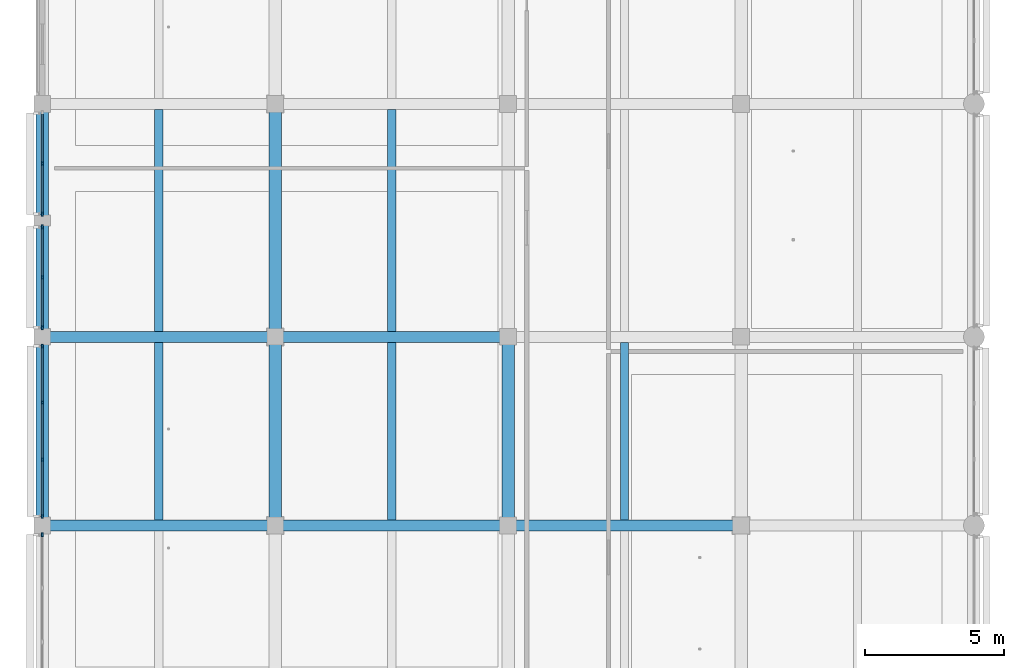
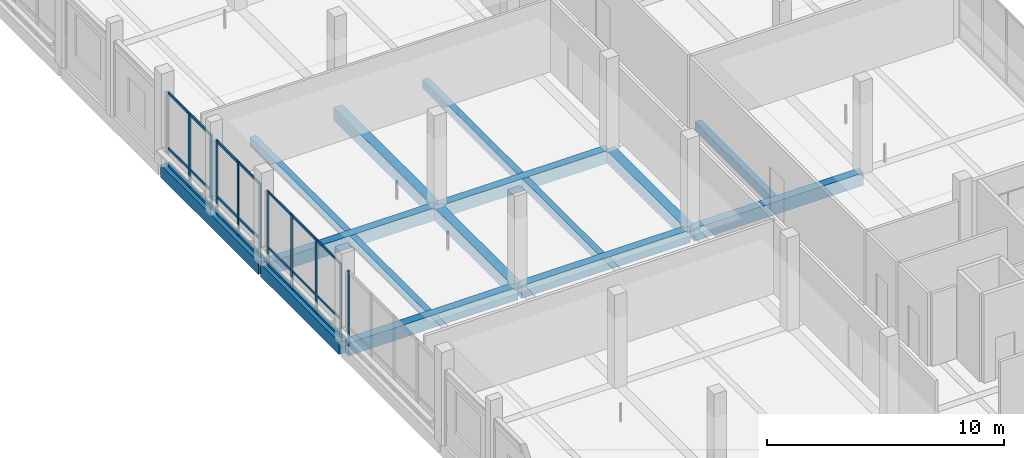
# One storey, part 10 of 122: 31 members, 15 beams, 4 elements without a shape of their own.
"""IFC4 building model written with IfcOpenShell, lengths in metres."""

from ifc_helpers import new_model, si_unit, direction, frame, origin, origin_2d, place, context, subcontext, project, spatial, rectangle, extrude, material, layer, layer_set, material_profile, profile_set, type_object, element, aggregate, save


model = new_model("IFC4")

# Units and contexts
model_context = context("Model", 3, precision=1e-05, world=origin(), true_north=direction((0.0, 1.0)))
body_context = subcontext(model_context, "Body", "Model", "MODEL_VIEW")
ifc_project = project(units=[si_unit("LENGTHUNIT", "METRE"), si_unit("AREAUNIT", "SQUARE_METRE"), si_unit("VOLUMEUNIT", "CUBIC_METRE"), si_unit("PLANEANGLEUNIT", "RADIAN"), si_unit("MASSUNIT", "GRAM", prefix="KILO")], contexts=[model_context])

# Site, building, storey
site_placement = place(None, origin())
site = spatial("IfcSite", under=ifc_project, at=site_placement, CompositionType="ELEMENT")
building_placement = place(site_placement, origin())
building = spatial("IfcBuilding", under=site, at=building_placement, Name="Telukmera Botanical Conservatory", CompositionType="ELEMENT")
storey_placement = place(building_placement, frame((0.0, 0.0, 10.199951171875)))
storey = spatial("IfcBuildingStorey", under=building, at=storey_placement, Name="L02", CompositionType="ELEMENT", Elevation=10.199951171875)

# Beams
ifc_material_1 = material(Name="Concrete C40/50", Category="concrete")
ifc_material_profile_1 = material_profile(ifc_material_1, rectangle(XDim=0.449951171875, YDim=0.64990234375, at=origin_2d()), Name="RC 450x650")
ifc_profile_set_1 = profile_set([ifc_material_profile_1], Name="Concrete C40/50")
beam_type_1 = type_object("IfcBeamType", Name="Beam_B16", PredefinedType="BEAM", material=ifc_profile_set_1)
beam_1_placement = place(storey_placement, frame((8.39990234375, 42.8798828125, -0.324951171875), z_axis=(0.0, 1.0, 0.0), x_axis=(-1.0, 0.0, 0.0)))
element("IfcBeam", 1, at=beam_1_placement, inside=storey, type_object=beam_type_1, Name="Visitor Wing Transverse Beam L02", PredefinedType="BEAM", context=body_context, shape_type="SweptSolid", body=[
    extrude(rectangle(XDim=0.449951171875, YDim=0.64990234375, at=origin_2d()), origin(), (0.0, 0.0, 1.0), 6.64013671875),
])
beam_2_placement = place(storey_placement, frame((8.39990234375, 49.679931640625, -0.324951171875), z_axis=(0.0, 1.0, 0.0), x_axis=(-1.0, 0.0, 0.0)))
element("IfcBeam", 2, at=beam_2_placement, inside=storey, type_object=beam_type_1, Name="Visitor Wing Transverse Beam L02", PredefinedType="BEAM", context=body_context, shape_type="SweptSolid", body=[
    extrude(rectangle(XDim=0.449951171875, YDim=0.64990234375, at=origin_2d()), origin(), (0.0, 0.0, 1.0), 8.239990234375),
])
beam_3_placement = place(storey_placement, frame((16.800048828125, 42.8798828125, -0.324951171875), z_axis=(0.0, 1.0, 0.0), x_axis=(-1.0, 0.0, 0.0)))
element("IfcBeam", 3, at=beam_3_placement, inside=storey, type_object=beam_type_1, Name="Visitor Wing Transverse Beam L02", PredefinedType="BEAM", context=body_context, shape_type="SweptSolid", body=[
    extrude(rectangle(XDim=0.449951171875, YDim=0.64990234375, at=origin_2d()), origin(), (0.0, 0.0, 1.0), 6.64013671875),
])
beam_4_placement = place(storey_placement, frame((16.800048828125, 49.679931640625, -0.324951171875), z_axis=(0.0, 1.0, 0.0), x_axis=(-1.0, 0.0, 0.0)))
element("IfcBeam", 4, at=beam_4_placement, inside=storey, type_object=beam_type_1, Name="Visitor Wing Transverse Beam L02", PredefinedType="BEAM", context=body_context, shape_type="SweptSolid", body=[
    extrude(rectangle(XDim=0.449951171875, YDim=0.64990234375, at=origin_2d()), origin(), (0.0, 0.0, 1.0), 8.239990234375),
])
beam_5_placement = place(storey_placement, frame((25.199951171875, 42.8798828125, -0.324951171875), z_axis=(0.0, 1.0, 0.0), x_axis=(-1.0, 0.0, 0.0)))
element("IfcBeam", 5, at=beam_5_placement, inside=storey, type_object=beam_type_1, Name="Visitor Wing Transverse Beam L02", PredefinedType="BEAM", context=body_context, shape_type="SweptSolid", body=[
    extrude(rectangle(XDim=0.449951171875, YDim=0.64990234375, at=origin_2d()), origin(), (0.0, 0.0, 1.0), 6.64013671875),
])
ifc_material_profile_2 = material_profile(ifc_material_1, rectangle(XDim=0.300048828125, YDim=0.449951171875, at=origin_2d()), Name="RC 300x450")
ifc_profile_set_2 = profile_set([ifc_material_profile_2], Name="Concrete C40/50")
beam_type_2 = type_object("IfcBeamType", Name="Beam_B25", PredefinedType="JOIST", material=ifc_profile_set_2)
beam_6_placement = place(storey_placement, frame((12.60009765625, 43.0, -0.224853515625), z_axis=(0.0, 1.0, 0.0), x_axis=(-1.0, 0.0, 0.0)))
element("IfcBeam", 6, at=beam_6_placement, inside=storey, type_object=beam_type_2, Name="Visitor Wing Floor Joist L02", PredefinedType="JOIST", context=body_context, shape_type="SweptSolid", body=[
    extrude(rectangle(XDim=0.300048828125, YDim=0.449951171875, at=origin_2d()), origin(), (0.0, 0.0, 1.0), 6.39990234375),
])
beam_7_placement = place(storey_placement, frame((12.60009765625, 49.800048828125, -0.224853515625), z_axis=(0.0, 1.0, 0.0), x_axis=(-1.0, 0.0, 0.0)))
element("IfcBeam", 7, at=beam_7_placement, inside=storey, type_object=beam_type_2, Name="Visitor Wing Floor Joist L02", PredefinedType="JOIST", context=body_context, shape_type="SweptSolid", body=[
    extrude(rectangle(XDim=0.300048828125, YDim=0.449951171875, at=origin_2d()), origin(), (0.0, 0.0, 1.0), 8.0),
])
beam_8_placement = place(storey_placement, frame((21.0, 43.0, -0.224853515625), z_axis=(0.0, 1.0, 0.0), x_axis=(-1.0, 0.0, 0.0)))
element("IfcBeam", 8, at=beam_8_placement, inside=storey, type_object=beam_type_2, Name="Visitor Wing Floor Joist L02", PredefinedType="JOIST", context=body_context, shape_type="SweptSolid", body=[
    extrude(rectangle(XDim=0.300048828125, YDim=0.449951171875, at=origin_2d()), origin(), (0.0, 0.0, 1.0), 6.39990234375),
])
beam_9_placement = place(storey_placement, frame((21.0, 49.800048828125, -0.224853515625), z_axis=(0.0, 1.0, 0.0), x_axis=(-1.0, 0.0, 0.0)))
element("IfcBeam", 9, at=beam_9_placement, inside=storey, type_object=beam_type_2, Name="Visitor Wing Floor Joist L02", PredefinedType="JOIST", context=body_context, shape_type="SweptSolid", body=[
    extrude(rectangle(XDim=0.300048828125, YDim=0.449951171875, at=origin_2d()), origin(), (0.0, 0.0, 1.0), 8.0),
])
beam_10_placement = place(storey_placement, frame((29.39990234375, 43.0, -0.224853515625), z_axis=(0.0, 1.0, 0.0), x_axis=(-1.0, 0.0, 0.0)))
element("IfcBeam", 10, at=beam_10_placement, inside=storey, type_object=beam_type_2, Name="Visitor Wing Floor Joist L02", PredefinedType="JOIST", context=body_context, shape_type="SweptSolid", body=[
    extrude(rectangle(XDim=0.300048828125, YDim=0.449951171875, at=origin_2d()), origin(), (0.0, 0.0, 1.0), 6.39990234375),
])
ifc_material_profile_3 = material_profile(ifc_material_1, rectangle(XDim=0.39990234375, YDim=0.64990234375, at=origin_2d()), Name="RC 400x650")
ifc_profile_set_3 = profile_set([ifc_material_profile_3], Name="Concrete C40/50")
beam_type_3 = type_object("IfcBeamType", Name="Beam_B8", PredefinedType="BEAM", material=ifc_profile_set_3)
beam_11_placement = place(storey_placement, frame((8.47998046875, 42.800048828125, -0.324951171875), z_axis=(1.0, 0.0, 0.0), x_axis=(0.0, 1.0, 0.0)))
element("IfcBeam", 11, at=beam_11_placement, inside=storey, type_object=beam_type_3, Name="Visitor Wing Grid Beam L02", PredefinedType="BEAM", context=body_context, shape_type="SweptSolid", body=[
    extrude(rectangle(XDim=0.39990234375, YDim=0.64990234375, at=origin_2d()), origin(), (0.0, 0.0, 1.0), 8.239990234375),
])
beam_12_placement = place(storey_placement, frame((16.8798828125, 42.800048828125, -0.324951171875), z_axis=(1.0, 0.0, 0.0), x_axis=(0.0, 1.0, 0.0)))
element("IfcBeam", 12, at=beam_12_placement, inside=storey, type_object=beam_type_3, Name="Visitor Wing Grid Beam L02", PredefinedType="BEAM", context=body_context, shape_type="SweptSolid", body=[
    extrude(rectangle(XDim=0.39990234375, YDim=0.64990234375, at=origin_2d()), origin(), (0.0, 0.0, 1.0), 8.240234375),
])
for number, where, z_axis, x_axis, name in (
    (13, (25.280029296875, 42.800048828125, -0.324951171875), (1.0, 0.0, 0.0), (0.0, 1.0, 0.0), "Visitor Wing Grid Beam L02"),
    (14, (8.47998046875, 49.60009765625, -0.324951171875), (1.0, 0.0, 0.0), (0.0, 1.0, 0.0), "Visitor Wing Grid Beam L02"),
):
    element("IfcBeam", number, at=place(storey_placement, frame(where, z_axis=z_axis, x_axis=x_axis)), inside=storey, type_object=beam_type_3, Name=name, PredefinedType="BEAM", context=body_context, shape_type="SweptSolid", body=[
        extrude(rectangle(XDim=0.39990234375, YDim=0.64990234375, at=origin_2d()), origin(), (0.0, 0.0, 1.0), 8.239990234375),
    ])
beam_13_placement = place(storey_placement, frame((16.8798828125, 49.60009765625, -0.324951171875), z_axis=(1.0, 0.0, 0.0), x_axis=(0.0, 1.0, 0.0)))
element("IfcBeam", 15, at=beam_13_placement, inside=storey, type_object=beam_type_3, Name="Visitor Wing Grid Beam L02", PredefinedType="BEAM", context=body_context, shape_type="SweptSolid", body=[
    extrude(rectangle(XDim=0.39990234375, YDim=0.64990234375, at=origin_2d()), origin(), (0.0, 0.0, 1.0), 8.240234375),
])

# Curtain wall, members
ifc_material_2 = material(Name="Anodised aluminium 6063-T6", Category="aluminium")
ifc_layer_1 = layer(ifc_material_2, 0.179931640625)
ifc_layer_set_1 = layer_set([ifc_layer_1], Name="Anodised aluminium 6063-T6")
curtain_wall_type_1 = type_object("IfcCurtainWallType", Name="Visitor Courtyard Narrow Bay Curtain Wall", PredefinedType="USERDEFINED", material=ifc_layer_set_1)
curtain_wall_1_placement = place(storey_placement, origin())
curtain_wall_1 = element("IfcCurtainWall", 16, at=curtain_wall_1_placement, inside=storey, type_object=curtain_wall_type_1, Name="Unitised Curtain Wall CW10 V3:L02:W4", ObjectType="UNITISED CURTAIN WALL", PredefinedType="USERDEFINED")
ifc_material_profile_4 = material_profile(ifc_material_2, rectangle(XDim=0.06005859375, YDim=0.139892578125, at=origin_2d()), Name="ALU MULL 60x140")
ifc_profile_set_4 = profile_set([ifc_material_profile_4], Name="Anodised aluminium 6063-T6")
member_type_1 = type_object("IfcMemberType", Name="Curtain Wall Extruded Mullion 60x140", PredefinedType="MULLION", material=ifc_profile_set_4)
member_1_placement = place(storey_placement, frame((8.39990234375, 43.132080078125, 0.0), z_axis=(0.0, 0.0, 1.0), x_axis=(-1.0, 0.0, 0.0)))
member_1 = element("IfcMember", 17, at=member_1_placement, type_object=member_type_1, Name="CW10 mullion 1", PredefinedType="MULLION", context=body_context, shape_type="SweptSolid", body=[
    extrude(rectangle(XDim=0.06005859375, YDim=0.139892578125, at=origin_2d()), origin(), (0.0, 0.0, 1.0), 3.85009765625),
])
member_2_placement = place(storey_placement, frame((8.39990234375, 45.167236328125, 0.0), z_axis=(0.0, 0.0, 1.0), x_axis=(-1.0, 0.0, 0.0)))
member_2 = element("IfcMember", 18, at=member_2_placement, type_object=member_type_1, Name="CW10 mullion 2", PredefinedType="MULLION", context=body_context, shape_type="SweptSolid", body=[
    extrude(rectangle(XDim=0.06005859375, YDim=0.139892578125, at=origin_2d()), origin(), (0.0, 0.0, 1.0), 3.85009765625),
])
member_3_placement = place(storey_placement, frame((8.39990234375, 47.232666015625, 0.0), z_axis=(0.0, 0.0, 1.0), x_axis=(-1.0, 0.0, 0.0)))
member_3 = element("IfcMember", 19, at=member_3_placement, type_object=member_type_1, Name="CW10 mullion 3", PredefinedType="MULLION", context=body_context, shape_type="SweptSolid", body=[
    extrude(rectangle(XDim=0.06005859375, YDim=0.139892578125, at=origin_2d()), origin(), (0.0, 0.0, 1.0), 3.85009765625),
])
member_4_placement = place(storey_placement, frame((8.39990234375, 49.26806640625, 0.0), z_axis=(0.0, 0.0, 1.0), x_axis=(-1.0, 0.0, 0.0)))
member_4 = element("IfcMember", 20, at=member_4_placement, type_object=member_type_1, Name="CW10 mullion 4", PredefinedType="MULLION", context=body_context, shape_type="SweptSolid", body=[
    extrude(rectangle(XDim=0.06005859375, YDim=0.139892578125, at=origin_2d()), origin(), (0.0, 0.0, 1.0), 3.85009765625),
])

# Curtain wall, member
ifc_layer_2 = layer(ifc_material_2, 0.179931640625)
ifc_layer_set_2 = layer_set([ifc_layer_2], Name="Anodised aluminium 6063-T6")
curtain_wall_type_2 = type_object("IfcCurtainWallType", Name="Visitor Gallery First Floor Curtain Wall 1800 Mod", PredefinedType="USERDEFINED", material=ifc_layer_set_2)
curtain_wall_2_placement = place(storey_placement, origin())
curtain_wall_2 = element("IfcCurtainWall", 21, at=curtain_wall_2_placement, inside=storey, type_object=curtain_wall_type_2, Name="Unitised Curtain Wall CW08 V3:L02:W3", ObjectType="UNITISED CURTAIN WALL", PredefinedType="USERDEFINED")
ifc_material_profile_5 = material_profile(ifc_material_2, rectangle(XDim=0.06494140625, YDim=0.159912109375, at=origin_2d()), Name="ALU MULL 65x160")
ifc_profile_set_5 = profile_set([ifc_material_profile_5], Name="Anodised aluminium 6063-T6")
member_type_2 = type_object("IfcMemberType", Name="Curtain Wall Extruded Mullion 65x160", PredefinedType="MULLION", material=ifc_profile_set_5)
member_5_placement = place(storey_placement, frame((8.39990234375, 42.465576171875, 0.0), z_axis=(0.0, 0.0, 1.0), x_axis=(-1.0, 0.0, 0.0)))
member_5 = element("IfcMember", 22, at=member_5_placement, type_object=member_type_2, Name="CW08 mullion 5", PredefinedType="MULLION", context=body_context, shape_type="SweptSolid", body=[
    extrude(rectangle(XDim=0.06494140625, YDim=0.159912109375, at=origin_2d()), origin(), (0.0, 0.0, 1.0), 3.85009765625),
])
aggregate(curtain_wall_2, [member_5])

# Curtain wall, members
curtain_wall_3_placement = place(storey_placement, origin())
curtain_wall_3 = element("IfcCurtainWall", 23, at=curtain_wall_3_placement, inside=storey, type_object=curtain_wall_type_2, Name="Unitised Curtain Wall CW08 V3:L02:W5A", ObjectType="UNITISED CURTAIN WALL", PredefinedType="USERDEFINED")
member_6_placement = place(storey_placement, frame((8.39990234375, 49.9345703125, 0.0), z_axis=(0.0, 0.0, 1.0), x_axis=(-1.0, 0.0, 0.0)))
member_6 = element("IfcMember", 24, at=member_6_placement, type_object=member_type_2, Name="CW08 mullion 1", PredefinedType="MULLION", context=body_context, shape_type="SweptSolid", body=[
    extrude(rectangle(XDim=0.06494140625, YDim=0.159912109375, at=origin_2d()), origin(), (0.0, 0.0, 1.0), 3.85009765625),
])
member_7_placement = place(storey_placement, frame((8.39990234375, 51.75, 0.0), z_axis=(0.0, 0.0, 1.0), x_axis=(-1.0, 0.0, 0.0)))
member_7 = element("IfcMember", 25, at=member_7_placement, type_object=member_type_2, Name="CW08 mullion 2", PredefinedType="MULLION", context=body_context, shape_type="SweptSolid", body=[
    extrude(rectangle(XDim=0.06494140625, YDim=0.159912109375, at=origin_2d()), origin(), (0.0, 0.0, 1.0), 3.85009765625),
])
member_8_placement = place(storey_placement, frame((8.39990234375, 53.5654296875, 0.0), z_axis=(0.0, 0.0, 1.0), x_axis=(-1.0, 0.0, 0.0)))
member_8 = element("IfcMember", 26, at=member_8_placement, type_object=member_type_2, Name="CW08 mullion 3", PredefinedType="MULLION", context=body_context, shape_type="SweptSolid", body=[
    extrude(rectangle(XDim=0.06494140625, YDim=0.159912109375, at=origin_2d()), origin(), (0.0, 0.0, 1.0), 3.85009765625),
])

curtain_wall_4_placement = place(storey_placement, origin())
curtain_wall_4 = element("IfcCurtainWall", 27, at=curtain_wall_4_placement, inside=storey, type_object=curtain_wall_type_2, Name="Unitised Curtain Wall CW08 V3:L02:W5B", ObjectType="UNITISED CURTAIN WALL", PredefinedType="USERDEFINED")
member_9_placement = place(storey_placement, frame((8.39990234375, 54.034423828125, 0.0), z_axis=(0.0, 0.0, 1.0), x_axis=(-1.0, 0.0, 0.0)))
member_9 = element("IfcMember", 28, at=member_9_placement, type_object=member_type_2, Name="CW08 mullion 1", PredefinedType="MULLION", context=body_context, shape_type="SweptSolid", body=[
    extrude(rectangle(XDim=0.06494140625, YDim=0.159912109375, at=origin_2d()), origin(), (0.0, 0.0, 1.0), 3.85009765625),
])
member_10_placement = place(storey_placement, frame((8.39990234375, 55.85009765625, 0.0), z_axis=(0.0, 0.0, 1.0), x_axis=(-1.0, 0.0, 0.0)))
member_10 = element("IfcMember", 29, at=member_10_placement, type_object=member_type_2, Name="CW08 mullion 2", PredefinedType="MULLION", context=body_context, shape_type="SweptSolid", body=[
    extrude(rectangle(XDim=0.06494140625, YDim=0.159912109375, at=origin_2d()), origin(), (0.0, 0.0, 1.0), 3.85009765625),
])

# Member
ifc_material_profile_6 = material_profile(ifc_material_2, rectangle(XDim=0.06005859375, YDim=0.110107421875, at=origin_2d()), Name="ALU TRAN 60x110")
ifc_profile_set_6 = profile_set([ifc_material_profile_6], Name="Anodised aluminium 6063-T6")
member_type_3 = type_object("IfcMemberType", Name="Curtain Wall Extruded Transom 60x110", PredefinedType="USERDEFINED", material=ifc_profile_set_6)
member_11_placement = place(storey_placement, frame((8.39990234375, 43.162109375, 0.054931640625), z_axis=(0.0, 1.0, 0.0), x_axis=(-1.0, 0.0, 0.0)))
member_11 = element("IfcMember", 30, at=member_11_placement, type_object=member_type_3, Name="CW10 transom 1.1", ObjectType="TRANSOM", PredefinedType="USERDEFINED", context=body_context, shape_type="SweptSolid", body=[
    extrude(rectangle(XDim=0.06005859375, YDim=0.110107421875, at=origin_2d()), origin(), (0.0, 0.0, 1.0), 1.975341796875),
])

member_12_placement = place(storey_placement, frame((8.39990234375, 43.162109375, 0.949951171875), z_axis=(0.0, 1.0, 0.0), x_axis=(-1.0, 0.0, 0.0)))
member_12 = element("IfcMember", 31, at=member_12_placement, type_object=member_type_3, Name="CW10 transom 1.2", ObjectType="TRANSOM", PredefinedType="USERDEFINED", context=body_context, shape_type="SweptSolid", body=[
    extrude(rectangle(XDim=0.06005859375, YDim=0.110107421875, at=origin_2d()), origin(), (0.0, 0.0, 1.0), 1.975341796875),
])

member_13_placement = place(storey_placement, frame((8.39990234375, 43.162109375, 3.795166015625), z_axis=(0.0, 1.0, 0.0), x_axis=(-1.0, 0.0, 0.0)))
member_13 = element("IfcMember", 32, at=member_13_placement, type_object=member_type_3, Name="CW10 transom 1.3", ObjectType="TRANSOM", PredefinedType="USERDEFINED", context=body_context, shape_type="SweptSolid", body=[
    extrude(rectangle(XDim=0.06005859375, YDim=0.110107421875, at=origin_2d()), origin(), (0.0, 0.0, 1.0), 1.975341796875),
])

member_14_placement = place(storey_placement, frame((8.39990234375, 45.197265625, 0.054931640625), z_axis=(0.0, 1.0, 0.0), x_axis=(-1.0, 0.0, 0.0)))
member_14 = element("IfcMember", 33, at=member_14_placement, type_object=member_type_3, Name="CW10 transom 2.1", ObjectType="TRANSOM", PredefinedType="USERDEFINED", context=body_context, shape_type="SweptSolid", body=[
    extrude(rectangle(XDim=0.06005859375, YDim=0.110107421875, at=origin_2d()), origin(), (0.0, 0.0, 1.0), 2.00537109375),
])

member_15_placement = place(storey_placement, frame((8.39990234375, 45.197265625, 0.949951171875), z_axis=(0.0, 1.0, 0.0), x_axis=(-1.0, 0.0, 0.0)))
member_15 = element("IfcMember", 34, at=member_15_placement, type_object=member_type_3, Name="CW10 transom 2.2", ObjectType="TRANSOM", PredefinedType="USERDEFINED", context=body_context, shape_type="SweptSolid", body=[
    extrude(rectangle(XDim=0.06005859375, YDim=0.110107421875, at=origin_2d()), origin(), (0.0, 0.0, 1.0), 2.00537109375),
])

member_16_placement = place(storey_placement, frame((8.39990234375, 45.197265625, 3.795166015625), z_axis=(0.0, 1.0, 0.0), x_axis=(-1.0, 0.0, 0.0)))
member_16 = element("IfcMember", 35, at=member_16_placement, type_object=member_type_3, Name="CW10 transom 2.3", ObjectType="TRANSOM", PredefinedType="USERDEFINED", context=body_context, shape_type="SweptSolid", body=[
    extrude(rectangle(XDim=0.06005859375, YDim=0.110107421875, at=origin_2d()), origin(), (0.0, 0.0, 1.0), 2.00537109375),
])

member_17_placement = place(storey_placement, frame((8.39990234375, 47.2626953125, 0.054931640625), z_axis=(0.0, 1.0, 0.0), x_axis=(-1.0, 0.0, 0.0)))
member_17 = element("IfcMember", 36, at=member_17_placement, type_object=member_type_3, Name="CW10 transom 3.1", ObjectType="TRANSOM", PredefinedType="USERDEFINED", context=body_context, shape_type="SweptSolid", body=[
    extrude(rectangle(XDim=0.06005859375, YDim=0.110107421875, at=origin_2d()), origin(), (0.0, 0.0, 1.0), 1.975341796875),
])

member_18_placement = place(storey_placement, frame((8.39990234375, 47.2626953125, 0.949951171875), z_axis=(0.0, 1.0, 0.0), x_axis=(-1.0, 0.0, 0.0)))
member_18 = element("IfcMember", 37, at=member_18_placement, type_object=member_type_3, Name="CW10 transom 3.2", ObjectType="TRANSOM", PredefinedType="USERDEFINED", context=body_context, shape_type="SweptSolid", body=[
    extrude(rectangle(XDim=0.06005859375, YDim=0.110107421875, at=origin_2d()), origin(), (0.0, 0.0, 1.0), 1.975341796875),
])

member_19_placement = place(storey_placement, frame((8.39990234375, 47.2626953125, 3.795166015625), z_axis=(0.0, 1.0, 0.0), x_axis=(-1.0, 0.0, 0.0)))
member_19 = element("IfcMember", 38, at=member_19_placement, type_object=member_type_3, Name="CW10 transom 3.3", ObjectType="TRANSOM", PredefinedType="USERDEFINED", context=body_context, shape_type="SweptSolid", body=[
    extrude(rectangle(XDim=0.06005859375, YDim=0.110107421875, at=origin_2d()), origin(), (0.0, 0.0, 1.0), 1.975341796875),
])

aggregate(curtain_wall_1, [member_1, member_2, member_3, member_4, member_11, member_12, member_13, member_14, member_15, member_16, member_17, member_18, member_19])

ifc_material_profile_7 = material_profile(ifc_material_2, rectangle(XDim=0.06494140625, YDim=0.1298828125, at=origin_2d()), Name="ALU TRAN 65x130")
ifc_profile_set_7 = profile_set([ifc_material_profile_7], Name="Anodised aluminium 6063-T6")
member_type_4 = type_object("IfcMemberType", Name="Curtain Wall Extruded Transom 65x130", PredefinedType="USERDEFINED", material=ifc_profile_set_7)
member_20_placement = place(storey_placement, frame((8.39990234375, 49.967041015625, 0.06494140625), z_axis=(0.0, 1.0, 0.0), x_axis=(-1.0, 0.0, 0.0)))
member_20 = element("IfcMember", 39, at=member_20_placement, type_object=member_type_4, Name="CW08 transom 1.1", ObjectType="TRANSOM", PredefinedType="USERDEFINED", context=body_context, shape_type="SweptSolid", body=[
    extrude(rectangle(XDim=0.06494140625, YDim=0.1298828125, at=origin_2d()), origin(), (0.0, 0.0, 1.0), 1.75048828125),
])

member_21_placement = place(storey_placement, frame((8.39990234375, 49.967041015625, 0.949951171875), z_axis=(0.0, 1.0, 0.0), x_axis=(-1.0, 0.0, 0.0)))
member_21 = element("IfcMember", 40, at=member_21_placement, type_object=member_type_4, Name="CW08 transom 1.2", ObjectType="TRANSOM", PredefinedType="USERDEFINED", context=body_context, shape_type="SweptSolid", body=[
    extrude(rectangle(XDim=0.06494140625, YDim=0.1298828125, at=origin_2d()), origin(), (0.0, 0.0, 1.0), 1.75048828125),
])

member_22_placement = place(storey_placement, frame((8.39990234375, 49.967041015625, 3.78515625), z_axis=(0.0, 1.0, 0.0), x_axis=(-1.0, 0.0, 0.0)))
member_22 = element("IfcMember", 41, at=member_22_placement, type_object=member_type_4, Name="CW08 transom 1.3", ObjectType="TRANSOM", PredefinedType="USERDEFINED", context=body_context, shape_type="SweptSolid", body=[
    extrude(rectangle(XDim=0.06494140625, YDim=0.1298828125, at=origin_2d()), origin(), (0.0, 0.0, 1.0), 1.75048828125),
])

member_23_placement = place(storey_placement, frame((8.39990234375, 51.782470703125, 0.06494140625), z_axis=(0.0, 1.0, 0.0), x_axis=(-1.0, 0.0, 0.0)))
member_23 = element("IfcMember", 42, at=member_23_placement, type_object=member_type_4, Name="CW08 transom 2.1", ObjectType="TRANSOM", PredefinedType="USERDEFINED", context=body_context, shape_type="SweptSolid", body=[
    extrude(rectangle(XDim=0.06494140625, YDim=0.1298828125, at=origin_2d()), origin(), (0.0, 0.0, 1.0), 1.75048828125),
])

member_24_placement = place(storey_placement, frame((8.39990234375, 51.782470703125, 0.949951171875), z_axis=(0.0, 1.0, 0.0), x_axis=(-1.0, 0.0, 0.0)))
member_24 = element("IfcMember", 43, at=member_24_placement, type_object=member_type_4, Name="CW08 transom 2.2", ObjectType="TRANSOM", PredefinedType="USERDEFINED", context=body_context, shape_type="SweptSolid", body=[
    extrude(rectangle(XDim=0.06494140625, YDim=0.1298828125, at=origin_2d()), origin(), (0.0, 0.0, 1.0), 1.75048828125),
])

member_25_placement = place(storey_placement, frame((8.39990234375, 51.782470703125, 3.78515625), z_axis=(0.0, 1.0, 0.0), x_axis=(-1.0, 0.0, 0.0)))
member_25 = element("IfcMember", 44, at=member_25_placement, type_object=member_type_4, Name="CW08 transom 2.3", ObjectType="TRANSOM", PredefinedType="USERDEFINED", context=body_context, shape_type="SweptSolid", body=[
    extrude(rectangle(XDim=0.06494140625, YDim=0.1298828125, at=origin_2d()), origin(), (0.0, 0.0, 1.0), 1.75048828125),
])

aggregate(curtain_wall_3, [member_6, member_7, member_8, member_20, member_21, member_22, member_23, member_24, member_25])

member_26_placement = place(storey_placement, frame((8.39990234375, 54.06689453125, 0.06494140625), z_axis=(0.0, 1.0, 0.0), x_axis=(-1.0, 0.0, 0.0)))
member_26 = element("IfcMember", 45, at=member_26_placement, type_object=member_type_4, Name="CW08 transom 1.1", ObjectType="TRANSOM", PredefinedType="USERDEFINED", context=body_context, shape_type="SweptSolid", body=[
    extrude(rectangle(XDim=0.06494140625, YDim=0.1298828125, at=origin_2d()), origin(), (0.0, 0.0, 1.0), 1.75048828125),
])

member_27_placement = place(storey_placement, frame((8.39990234375, 54.06689453125, 0.949951171875), z_axis=(0.0, 1.0, 0.0), x_axis=(-1.0, 0.0, 0.0)))
member_27 = element("IfcMember", 46, at=member_27_placement, type_object=member_type_4, Name="CW08 transom 1.2", ObjectType="TRANSOM", PredefinedType="USERDEFINED", context=body_context, shape_type="SweptSolid", body=[
    extrude(rectangle(XDim=0.06494140625, YDim=0.1298828125, at=origin_2d()), origin(), (0.0, 0.0, 1.0), 1.75048828125),
])

member_28_placement = place(storey_placement, frame((8.39990234375, 54.06689453125, 3.78515625), z_axis=(0.0, 1.0, 0.0), x_axis=(-1.0, 0.0, 0.0)))
member_28 = element("IfcMember", 47, at=member_28_placement, type_object=member_type_4, Name="CW08 transom 1.3", ObjectType="TRANSOM", PredefinedType="USERDEFINED", context=body_context, shape_type="SweptSolid", body=[
    extrude(rectangle(XDim=0.06494140625, YDim=0.1298828125, at=origin_2d()), origin(), (0.0, 0.0, 1.0), 1.75048828125),
])

member_29_placement = place(storey_placement, frame((8.39990234375, 55.882568359375, 0.06494140625), z_axis=(0.0, 1.0, 0.0), x_axis=(-1.0, 0.0, 0.0)))
member_29 = element("IfcMember", 48, at=member_29_placement, type_object=member_type_4, Name="CW08 transom 2.1", ObjectType="TRANSOM", PredefinedType="USERDEFINED", context=body_context, shape_type="SweptSolid", body=[
    extrude(rectangle(XDim=0.06494140625, YDim=0.1298828125, at=origin_2d()), origin(), (0.0, 0.0, 1.0), 1.75048828125),
])

member_30_placement = place(storey_placement, frame((8.39990234375, 55.882568359375, 0.949951171875), z_axis=(0.0, 1.0, 0.0), x_axis=(-1.0, 0.0, 0.0)))
member_30 = element("IfcMember", 49, at=member_30_placement, type_object=member_type_4, Name="CW08 transom 2.2", ObjectType="TRANSOM", PredefinedType="USERDEFINED", context=body_context, shape_type="SweptSolid", body=[
    extrude(rectangle(XDim=0.06494140625, YDim=0.1298828125, at=origin_2d()), origin(), (0.0, 0.0, 1.0), 1.75048828125),
])

member_31_placement = place(storey_placement, frame((8.39990234375, 55.882568359375, 3.78515625), z_axis=(0.0, 1.0, 0.0), x_axis=(-1.0, 0.0, 0.0)))
member_31 = element("IfcMember", 50, at=member_31_placement, type_object=member_type_4, Name="CW08 transom 2.3", ObjectType="TRANSOM", PredefinedType="USERDEFINED", context=body_context, shape_type="SweptSolid", body=[
    extrude(rectangle(XDim=0.06494140625, YDim=0.1298828125, at=origin_2d()), origin(), (0.0, 0.0, 1.0), 1.75048828125),
])

aggregate(curtain_wall_4, [member_9, member_10, member_26, member_27, member_28, member_29, member_30, member_31])

save(model, "model.ifc")
